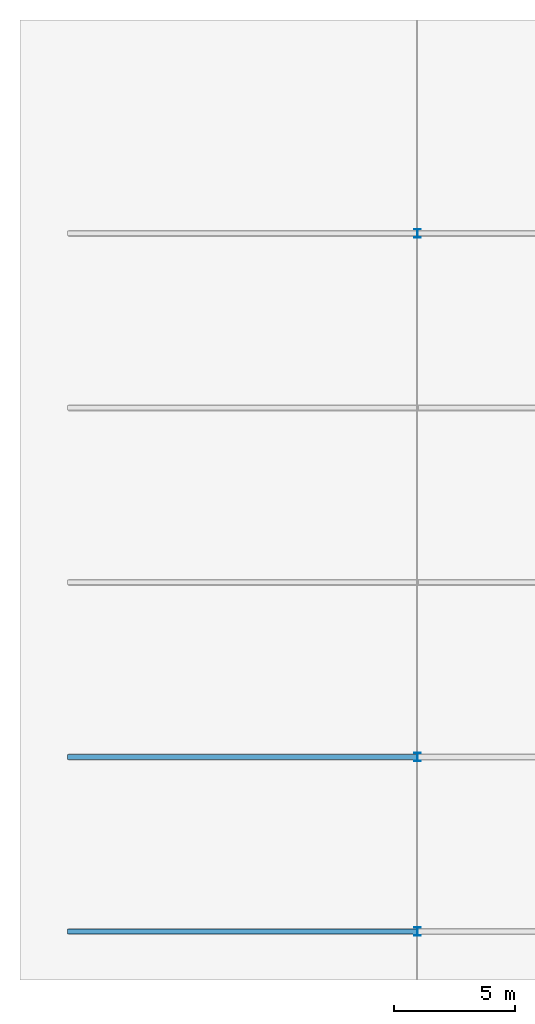
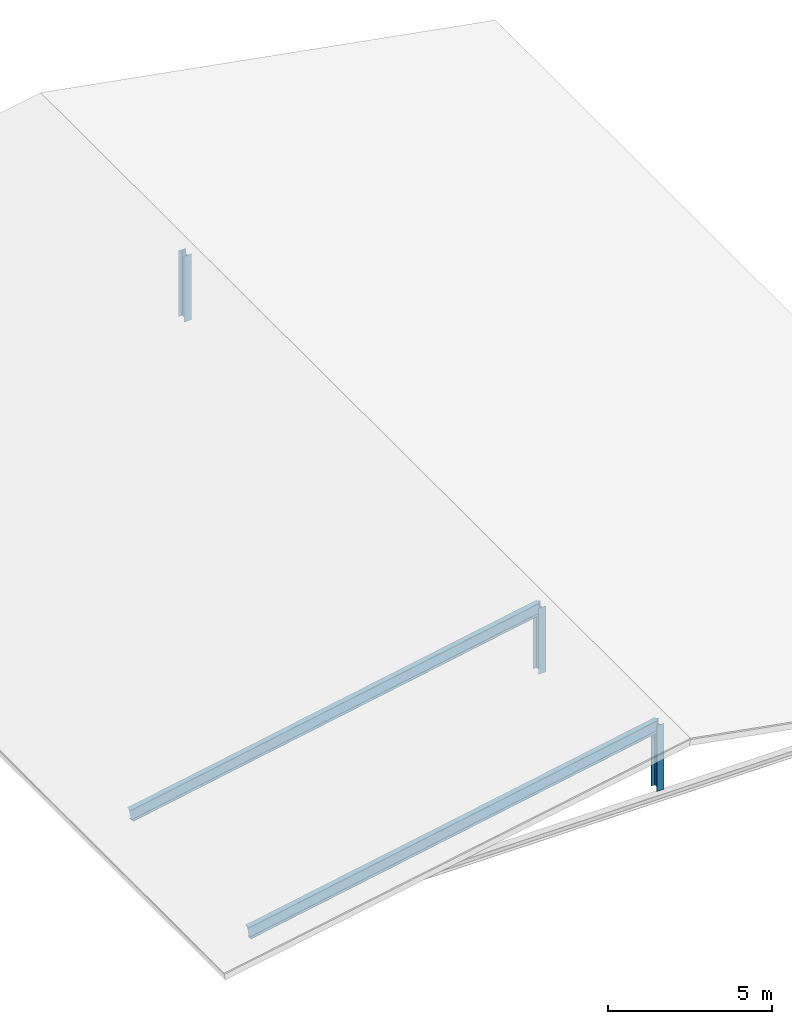
# One storey, part 1 of 3: 3 columns, 2 members.
"""IFC4 building model written with IfcOpenShell, lengths in metres."""

from ifc_helpers import new_model, si_unit, direction, frame, origin, origin_2d, place, context, subcontext, project, spatial, i_section, extrude, material, material_profile, profile_set, type_object, element, save


model = new_model("IFC4")

# Units and contexts
model_context = context("Model", 3, precision=1e-05, world=origin(), true_north=direction((0.0, 1.0)))
body_context = subcontext(model_context, "Body", "Model", "MODEL_VIEW")
ifc_project = project(units=[si_unit("LENGTHUNIT", "METRE"), si_unit("AREAUNIT", "SQUARE_METRE"), si_unit("VOLUMEUNIT", "CUBIC_METRE"), si_unit("PLANEANGLEUNIT", "RADIAN"), si_unit("MASSUNIT", "GRAM", prefix="KILO")], contexts=[model_context])

# Site, building, storey
site_placement = place(None, origin())
site = spatial("IfcSite", under=ifc_project, at=site_placement, CompositionType="ELEMENT")
building_placement = place(site_placement, origin())
building = spatial("IfcBuilding", under=site, at=building_placement, Name="Kalmorath City Hall", CompositionType="ELEMENT")
storey_placement = place(building_placement, frame((0.0, 0.0, 35.25)))
storey = spatial("IfcBuildingStorey", under=building, at=storey_placement, Name="ROOF", CompositionType="ELEMENT", Elevation=35.25)

# Columns
ifc_material_1 = material(Name="Steel ASTM A992 Grade 50", Category="steel")
ifc_material_profile_1 = material_profile(ifc_material_1, i_section(OverallWidth=0.25390625, OverallDepth=0.35302734375, WebThickness=0.009521484375, FlangeThickness=0.016357421875, FilletRadius=0.014892578125, at=origin_2d()), Name="W14X61")
ifc_profile_set_1 = profile_set([ifc_material_profile_1], Name="Steel ASTM A992 Grade 50")
column_type = type_object("IfcColumnType", Name="Steel wide-flange column W14X61", PredefinedType="COLUMN", material=ifc_profile_set_1)
for number, where, z_axis, x_axis, name in (
    (1, (14.39990234375, 0.0, 0.0), (0.0, 0.0, 1.0), (1.0, 0.0, 0.0), "ROOF ridge post SC1-1"),
    (2, (14.39990234375, 7.199951171875, 0.0), (0.0, 0.0, 1.0), (1.0, 0.0, 0.0), "ROOF ridge post SC1-2"),
    (3, (14.39990234375, 28.800048828125, 0.0), (0.0, 0.0, 1.0), (1.0, 0.0, 0.0), "ROOF ridge post SC1-5"),
):
    element("IfcColumn", number, at=place(storey_placement, frame(where, z_axis=z_axis, x_axis=x_axis)), inside=storey, type_object=column_type, Name=name, PredefinedType="COLUMN", context=body_context, shape_type="SweptSolid", body=[
        extrude(i_section(OverallWidth=0.25390625, OverallDepth=0.35302734375, WebThickness=0.009521484375, FlangeThickness=0.016357421875, FilletRadius=0.014892578125, at=origin_2d()), origin(), (0.0, 0.0, 1.0), 2.449951171875),
    ])

# Members
ifc_material_2 = material(Name="Steel ASTM A992 Grade 50", Category="steel")
ifc_material_profile_2 = material_profile(ifc_material_2, i_section(OverallWidth=0.19091796875, OverallDepth=0.45703125, WebThickness=0.009033203125, FlangeThickness=0.014404296875, FilletRadius=0.013916015625, at=origin_2d()), Name="W18X50")
ifc_profile_set_2 = profile_set([ifc_material_profile_2], Name="Steel ASTM A992 Grade 50")
member_type = type_object("IfcMemberType", Name="Steel pitched roof rafter W18X50", PredefinedType="RAFTER", material=ifc_profile_set_2)
for number, where, z_axis, x_axis, name in (
    (4, (0.0, 0.0, -0.330078125), (0.983116245207, 0.0, 0.182982098604), (0.0, 1.0, 0.0), "V1 west roof rafter RF1-1"),
    (5, (0.0, 7.199951171875, -0.330078125), (0.983116245207, 0.0, 0.182982098604), (0.0, 1.0, 0.0), "V1 west roof rafter RF1-2"),
):
    element("IfcMember", number, at=place(storey_placement, frame(where, z_axis=z_axis, x_axis=x_axis)), inside=storey, type_object=member_type, Name=name, PredefinedType="RAFTER", context=body_context, shape_type="SweptSolid", body=[
        extrude(i_section(OverallWidth=0.19091796875, OverallDepth=0.45703125, WebThickness=0.009033203125, FlangeThickness=0.014404296875, FilletRadius=0.013916015625, at=origin_2d()), origin(), (0.0, 0.0, 1.0), 14.647216796875),
    ])

save(model, "model.ifc")
